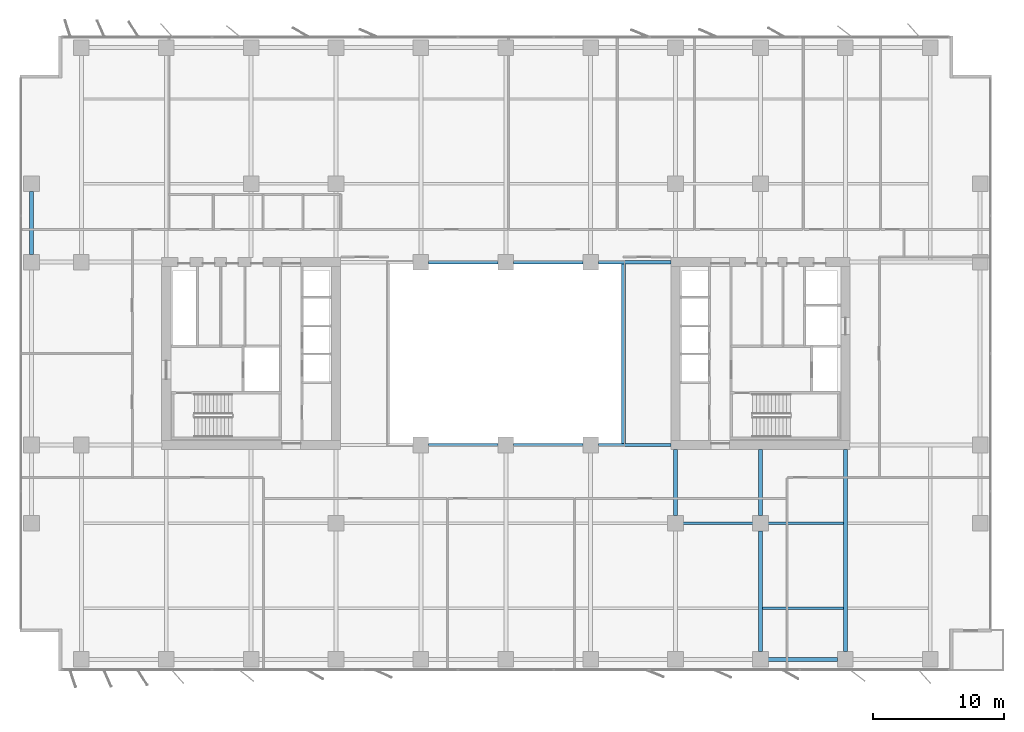
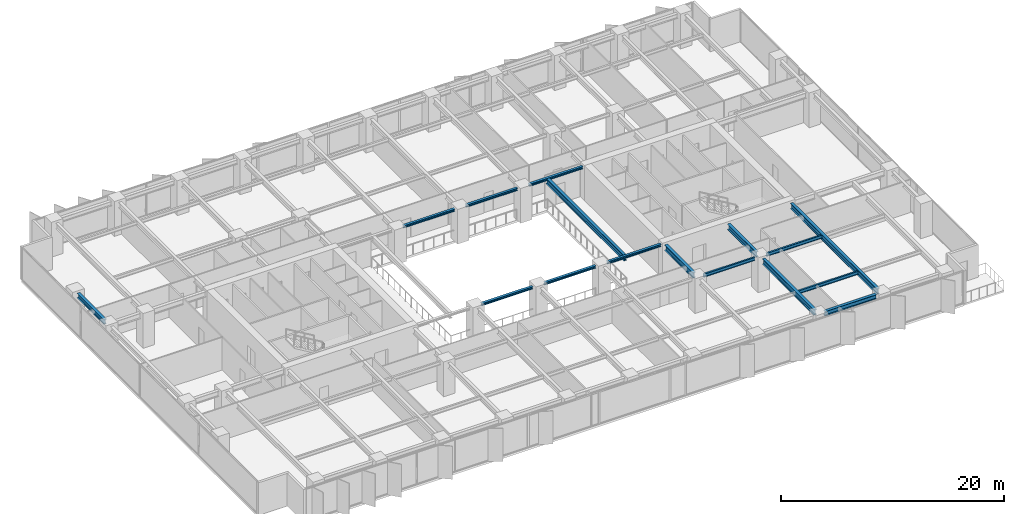
# One storey, part 6 of 20: 16 beams.
"""IFC4 building model written with IfcOpenShell, lengths in metres."""

from ifc_helpers import new_model, si_unit, direction, frame, origin, origin_2d, place, context, subcontext, project, spatial, i_section, extrude, material, material_profile, profile_set, type_object, element, save


model = new_model("IFC4")

# Units and contexts
model_context = context("Model", 3, precision=1e-05, world=origin(), true_north=direction((0.0, 1.0)))
body_context = subcontext(model_context, "Body", "Model", "MODEL_VIEW")
ifc_project = project(units=[si_unit("LENGTHUNIT", "METRE"), si_unit("AREAUNIT", "SQUARE_METRE"), si_unit("VOLUMEUNIT", "CUBIC_METRE"), si_unit("PLANEANGLEUNIT", "RADIAN"), si_unit("MASSUNIT", "GRAM", prefix="KILO")], contexts=[model_context])

# Site, building, storey
site_placement = place(None, origin())
site = spatial("IfcSite", under=ifc_project, at=site_placement, CompositionType="ELEMENT")
building_placement = place(site_placement, origin())
building = spatial("IfcBuilding", under=site, at=building_placement, Name="Putna Gate Headquarters", CompositionType="ELEMENT")
storey_placement = place(building_placement, frame((0.0, 0.0, 108.800048828125)))
storey = spatial("IfcBuildingStorey", under=building, at=storey_placement, Name="L26", CompositionType="ELEMENT", Elevation=108.800048828125)

# Beams
ifc_material = material(Name="Steel S355J2", Category="steel")
ifc_material_profile_1 = material_profile(ifc_material, i_section(OverallWidth=0.260009765625, OverallDepth=0.260009765625, WebThickness=0.010009765625, FlangeThickness=0.017578125, at=origin_2d()), Name="Steel S355J2")
ifc_profile_set_1 = profile_set([ifc_material_profile_1], Name="Steel S355J2")
beam_type_1 = type_object("IfcBeamType", Name="BM-ATRIUM-HEB260", PredefinedType="BEAM", material=ifc_profile_set_1)
for number, where, z_axis, x_axis, name in (
    (1, (33.087890625, 19.0, 3.43505859375), (1.0, 0.0, 0.0), (0.0, 1.0, 0.0), "L26 Atrium Edge Beam AS2"),
    (2, (39.587890625, 19.0, 3.43505859375), (1.0, 0.0, 0.0), (0.0, 1.0, 0.0), "L26 Atrium Edge Beam AS3"),
):
    element("IfcBeam", number, at=place(storey_placement, frame(where, z_axis=z_axis, x_axis=x_axis)), inside=storey, type_object=beam_type_1, Name=name, PredefinedType="BEAM", context=body_context, shape_type="SweptSolid", body=[
        extrude(i_section(OverallWidth=0.260009765625, OverallDepth=0.260009765625, WebThickness=0.010009765625, FlangeThickness=0.017578125, at=origin_2d()), origin(), (0.0, 0.0, 1.0), 5.32421875),
    ])
beam_1_placement = place(storey_placement, frame((46.087890625, 19.0, 3.43505859375), z_axis=(1.0, 0.0, 0.0), x_axis=(0.0, 1.0, 0.0)))
element("IfcBeam", 3, at=beam_1_placement, inside=storey, type_object=beam_type_1, Name="L26 Atrium Edge Beam AS4", PredefinedType="BEAM", context=body_context, shape_type="SweptSolid", body=[
    extrude(i_section(OverallWidth=0.260009765625, OverallDepth=0.260009765625, WebThickness=0.010009765625, FlangeThickness=0.017578125, at=origin_2d()), origin(), (0.0, 0.0, 1.0), 5.5771484375),
])
for number, where, z_axis, x_axis, name in (
    (4, (33.087890625, 33.0, 3.43505859375), (1.0, 0.0, 0.0), (0.0, 1.0, 0.0), "L26 Atrium Edge Beam AN2"),
    (5, (39.587890625, 33.0, 3.43505859375), (1.0, 0.0, 0.0), (0.0, 1.0, 0.0), "L26 Atrium Edge Beam AN3"),
):
    element("IfcBeam", number, at=place(storey_placement, frame(where, z_axis=z_axis, x_axis=x_axis)), inside=storey, type_object=beam_type_1, Name=name, PredefinedType="BEAM", context=body_context, shape_type="SweptSolid", body=[
        extrude(i_section(OverallWidth=0.260009765625, OverallDepth=0.260009765625, WebThickness=0.010009765625, FlangeThickness=0.017578125, at=origin_2d()), origin(), (0.0, 0.0, 1.0), 5.32421875),
    ])
beam_2_placement = place(storey_placement, frame((46.087890625, 33.0, 3.43505859375), z_axis=(1.0, 0.0, 0.0), x_axis=(0.0, 1.0, 0.0)))
element("IfcBeam", 6, at=beam_2_placement, inside=storey, type_object=beam_type_1, Name="L26 Atrium Edge Beam AN4", PredefinedType="BEAM", context=body_context, shape_type="SweptSolid", body=[
    extrude(i_section(OverallWidth=0.260009765625, OverallDepth=0.260009765625, WebThickness=0.010009765625, FlangeThickness=0.017578125, at=origin_2d()), origin(), (0.0, 0.0, 1.0), 5.5771484375),
])
ifc_material_profile_2 = material_profile(ifc_material, i_section(OverallWidth=0.300048828125, OverallDepth=0.60009765625, WebThickness=0.015380859375, FlangeThickness=0.030029296875, at=origin_2d()), Name="Steel S355J2")
ifc_profile_set_2 = profile_set([ifc_material_profile_2], Name="Steel S355J2")
beam_type_2 = type_object("IfcBeamType", Name="BM-GIRD-Z2-HEB600", PredefinedType="USERDEFINED", material=ifc_profile_set_2)
beam_3_placement = place(storey_placement, frame((52.0, 13.587890625, 3.264892578125), z_axis=(0.0, 1.0, 0.0), x_axis=(-1.0, 0.0, 0.0)))
element("IfcBeam", 7, at=beam_3_placement, inside=storey, type_object=beam_type_2, Name="L26 South Primary Girder X52-2", ObjectType="GIRDER", PredefinedType="USERDEFINED", context=body_context, shape_type="SweptSolid", body=[
    extrude(i_section(OverallWidth=0.300048828125, OverallDepth=0.60009765625, WebThickness=0.015380859375, FlangeThickness=0.030029296875, at=origin_2d()), origin(), (0.0, 0.0, 1.0), 5.0771484375),
])
beam_4_placement = place(storey_placement, frame((58.5, 3.16796875, 3.264892578125), z_axis=(0.0, 1.0, 0.0), x_axis=(-1.0, 0.0, 0.0)))
element("IfcBeam", 8, at=beam_4_placement, inside=storey, type_object=beam_type_2, Name="L26 South Primary Girder X58-1", ObjectType="GIRDER", PredefinedType="USERDEFINED", context=body_context, shape_type="SweptSolid", body=[
    extrude(i_section(OverallWidth=0.300048828125, OverallDepth=0.60009765625, WebThickness=0.015380859375, FlangeThickness=0.030029296875, at=origin_2d()), origin(), (0.0, 0.0, 1.0), 9.244140625),
])
beam_5_placement = place(storey_placement, frame((58.5, 13.587890625, 3.264892578125), z_axis=(0.0, 1.0, 0.0), x_axis=(-1.0, 0.0, 0.0)))
element("IfcBeam", 9, at=beam_5_placement, inside=storey, type_object=beam_type_2, Name="L26 South Primary Girder X58-2", ObjectType="GIRDER", PredefinedType="USERDEFINED", context=body_context, shape_type="SweptSolid", body=[
    extrude(i_section(OverallWidth=0.300048828125, OverallDepth=0.60009765625, WebThickness=0.015380859375, FlangeThickness=0.030029296875, at=origin_2d()), origin(), (0.0, 0.0, 1.0), 5.0771484375),
])
beam_6_placement = place(storey_placement, frame((65.0, 3.16796875, 3.264892578125), z_axis=(0.0, 1.0, 0.0), x_axis=(-1.0, 0.0, 0.0)))
element("IfcBeam", 10, at=beam_6_placement, inside=storey, type_object=beam_type_2, Name="L26 South Primary Girder X65", ObjectType="GIRDER", PredefinedType="USERDEFINED", context=body_context, shape_type="SweptSolid", body=[
    extrude(i_section(OverallWidth=0.300048828125, OverallDepth=0.60009765625, WebThickness=0.015380859375, FlangeThickness=0.030029296875, at=origin_2d()), origin(), (0.0, 0.0, 1.0), 15.4970703125),
])
beam_7_placement = place(storey_placement, frame((48.0, 19.010009765625, 3.264892578125), z_axis=(0.0, 1.0, 0.0), x_axis=(-1.0, 0.0, 0.0)))
element("IfcBeam", 11, at=beam_7_placement, inside=storey, type_object=beam_type_2, Name="L26 Atrium Trim Girder AE", ObjectType="GIRDER", PredefinedType="USERDEFINED", context=body_context, shape_type="SweptSolid", body=[
    extrude(i_section(OverallWidth=0.300048828125, OverallDepth=0.60009765625, WebThickness=0.015380859375, FlangeThickness=0.030029296875, at=origin_2d()), origin(), (0.0, 0.0, 1.0), 13.97998046875),
])
ifc_material_profile_3 = material_profile(ifc_material, i_section(OverallWidth=0.169921875, OverallDepth=0.360107421875, WebThickness=0.008056640625, FlangeThickness=0.0126953125, at=origin_2d()), Name="Steel S355J2")
ifc_profile_set_3 = profile_set([ifc_material_profile_3], Name="Steel S355J2")
beam_type_3 = type_object("IfcBeamType", Name="BM-SEC-Z2-IPE360", PredefinedType="BEAM", material=ifc_profile_set_3)
beam_8_placement = place(storey_placement, frame((52.587890625, 13.0, 3.385009765625), z_axis=(1.0, 0.0, 0.0), x_axis=(0.0, 1.0, 0.0)))
element("IfcBeam", 12, at=beam_8_placement, inside=storey, type_object=beam_type_3, Name="L26 South Secondary Beam 8", PredefinedType="BEAM", context=body_context, shape_type="SweptSolid", body=[
    extrude(i_section(OverallWidth=0.169921875, OverallDepth=0.360107421875, WebThickness=0.008056640625, FlangeThickness=0.0126953125, at=origin_2d()), origin(), (0.0, 0.0, 1.0), 5.32421875),
])
beam_9_placement = place(storey_placement, frame((58.654052734375, 6.5, 3.385009765625), z_axis=(1.0, 0.0, 0.0), x_axis=(0.0, 1.0, 0.0)))
element("IfcBeam", 13, at=beam_9_placement, inside=storey, type_object=beam_type_3, Name="L26 South Secondary Beam 9", PredefinedType="BEAM", context=body_context, shape_type="SweptSolid", body=[
    extrude(i_section(OverallWidth=0.169921875, OverallDepth=0.360107421875, WebThickness=0.008056640625, FlangeThickness=0.0126953125, at=origin_2d()), origin(), (0.0, 0.0, 1.0), 6.19189453125),
])
beam_10_placement = place(storey_placement, frame((59.087890625, 13.0, 3.385009765625), z_axis=(1.0, 0.0, 0.0), x_axis=(0.0, 1.0, 0.0)))
element("IfcBeam", 14, at=beam_10_placement, inside=storey, type_object=beam_type_3, Name="L26 South Secondary Beam 9", PredefinedType="BEAM", context=body_context, shape_type="SweptSolid", body=[
    extrude(i_section(OverallWidth=0.169921875, OverallDepth=0.360107421875, WebThickness=0.008056640625, FlangeThickness=0.0126953125, at=origin_2d()), origin(), (0.0, 0.0, 1.0), 5.758056640625),
])
ifc_material_profile_4 = material_profile(ifc_material, i_section(OverallWidth=0.300048828125, OverallDepth=0.489990234375, WebThickness=0.011962890625, FlangeThickness=0.02294921875, at=origin_2d()), Name="Steel S355J2")
ifc_profile_set_4 = profile_set([ifc_material_profile_4], Name="Steel S355J2")
beam_type_4 = type_object("IfcBeamType", Name="BM-SPAN-Z2-HEA500", PredefinedType="SPANDREL", material=ifc_profile_set_4)
beam_11_placement = place(storey_placement, frame((59.087890625, 2.580078125, 3.320068359375), z_axis=(1.0, 0.0, 0.0), x_axis=(0.0, 1.0, 0.0)))
element("IfcBeam", 15, at=beam_11_placement, inside=storey, type_object=beam_type_4, Name="L26 S Perimeter Spandrel 9", PredefinedType="SPANDREL", context=body_context, shape_type="SweptSolid", body=[
    extrude(i_section(OverallWidth=0.300048828125, OverallDepth=0.489990234375, WebThickness=0.011962890625, FlangeThickness=0.02294921875, at=origin_2d()), origin(), (0.0, 0.0, 1.0), 5.32421875),
])
beam_12_placement = place(storey_placement, frame((2.679931640625, 33.587890625, 3.320068359375), z_axis=(0.0, 1.0, 0.0), x_axis=(-1.0, 0.0, 0.0)))
element("IfcBeam", 16, at=beam_12_placement, inside=storey, type_object=beam_type_4, Name="L26 W End Spandrel 3", PredefinedType="SPANDREL", context=body_context, shape_type="SweptSolid", body=[
    extrude(i_section(OverallWidth=0.300048828125, OverallDepth=0.489990234375, WebThickness=0.011962890625, FlangeThickness=0.02294921875, at=origin_2d()), origin(), (0.0, 0.0, 1.0), 4.82421875),
])

save(model, "model.ifc")
